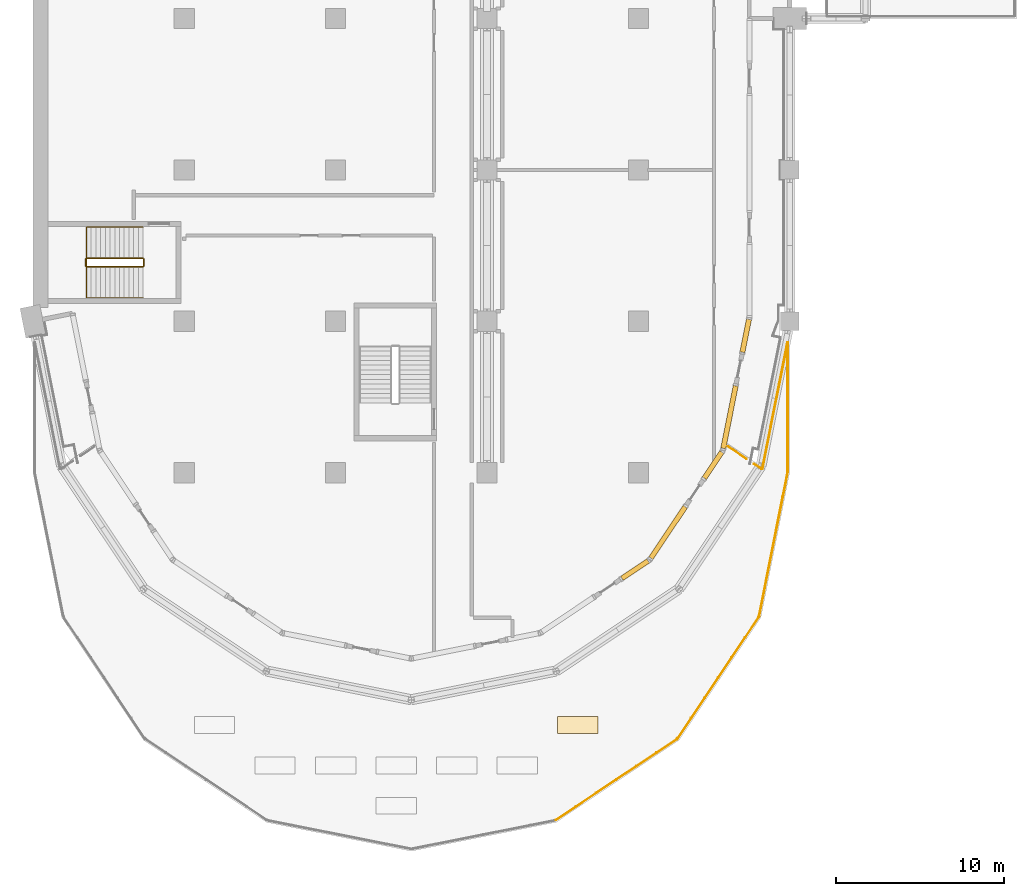
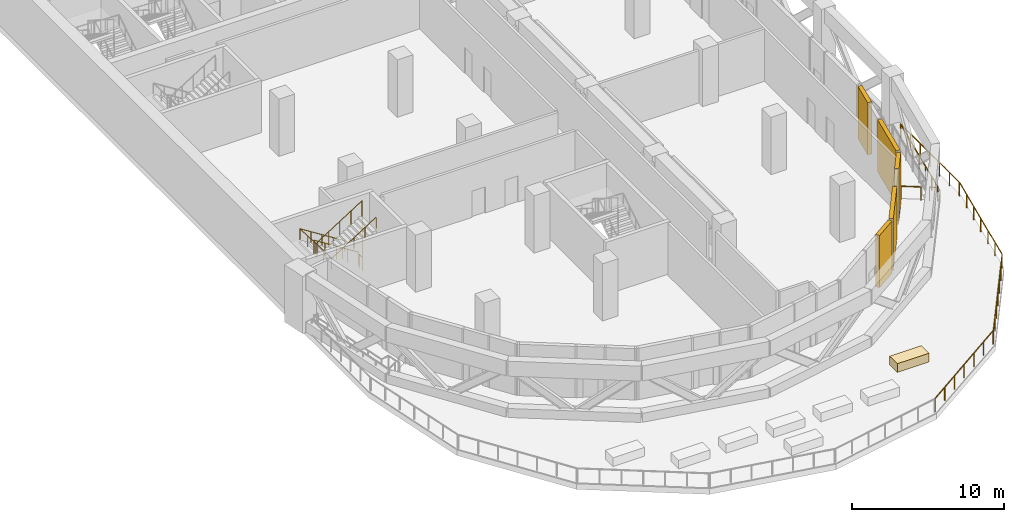
# One storey, part 17 of 20: 9 railings, 5 shading devices, 1 covering.
"""IFC4 building model written with IfcOpenShell, lengths in metres."""

from ifc_helpers import new_model, si_unit, direction, frame, origin, origin_2d, place, context, subcontext, project, spatial, polyline, rectangle, circle, outline, extrude, material, layer, layer_set, type_object, element, save


model = new_model("IFC4")

# Units and contexts
model_context = context("Model", 3, precision=1e-05, world=origin(), true_north=direction((0.0, 1.0)))
body_context = subcontext(model_context, "Body", "Model", "MODEL_VIEW")
ifc_project = project(units=[si_unit("LENGTHUNIT", "METRE"), si_unit("AREAUNIT", "SQUARE_METRE"), si_unit("VOLUMEUNIT", "CUBIC_METRE"), si_unit("PLANEANGLEUNIT", "RADIAN"), si_unit("MASSUNIT", "GRAM", prefix="KILO")], contexts=[model_context])

# Site, building, storey
site_placement = place(None, origin())
site = spatial("IfcSite", under=ifc_project, at=site_placement, CompositionType="ELEMENT")
building_placement = place(site_placement, origin())
building = spatial("IfcBuilding", under=site, at=building_placement, Name="Hunhe Ridgeline Campus", CompositionType="ELEMENT")
storey_placement = place(building_placement, frame((0.0, 0.0, 178.199951171875)))
storey = spatial("IfcBuildingStorey", under=building, at=storey_placement, Name="L45", CompositionType="ELEMENT", Elevation=178.199951171875)

# Railings
ifc_material_1 = material(Name="Steel Q355", Category="steel")
railing_type_1 = type_object("IfcRailingType", Name="Loggia guard 1100 Steel Q355", PredefinedType="GUARDRAIL", material=ifc_material_1)
railing_1_placement = place(storey_placement, frame((42.884033203125, 27.515380859375, 0.080078125)))
element("IfcRailing", 1, at=railing_1_placement, inside=storey, type_object=railing_type_1, Name="Terrace guard 9", PredefinedType="GUARDRAIL", context=body_context, shape_type="SweptSolid", body=[
    extrude(circle(Radius=0.02392578125, at=origin_2d()), frame((0.0, 0.0, 1.076171875), z_axis=(0.831636004277, -0.555321129069, 0.0), x_axis=(0.555321129069, 0.831636004277, 0.0)), (0.0, 0.0, 1.0), 0.544189453125),
    extrude(circle(Radius=0.02099609375, at=origin_2d()), origin(), (0.0, 0.0, 1.0), 1.052001953125),
    extrude(circle(Radius=0.02099609375, at=origin_2d()), frame((0.45263671875, -0.30224609375, 0.0)), (0.0, 0.0, 1.0), 1.052001953125),
])
railing_2_placement = place(storey_placement, frame((43.377685546875, 27.230224609375, 0.080078125)))
element("IfcRailing", 2, at=railing_2_placement, inside=storey, type_object=railing_type_1, Name="Terrace guard 10", PredefinedType="GUARDRAIL", context=body_context, shape_type="SweptSolid", body=[
    extrude(circle(Radius=0.02392578125, at=origin_2d()), frame((0.0, 0.0, 1.076171875), z_axis=(0.195129185157, 0.980777549243, 0.0), x_axis=(-0.980777549243, 0.195129185157, 0.0)), (0.0, 0.0, 1.0), 7.65966796875),
    extrude(circle(Radius=0.02099609375, at=origin_2d()), origin(), (0.0, 0.0, 1.0), 1.052001953125),
    extrude(circle(Radius=0.02099609375, at=origin_2d()), frame((0.2490234375, 1.251953125, 0.0)), (0.0, 0.0, 1.0), 1.052001953125),
    extrude(circle(Radius=0.02099609375, at=origin_2d()), frame((0.498291015625, 2.504150390625, 0.0)), (0.0, 0.0, 1.0), 1.052001953125),
    extrude(circle(Radius=0.02099609375, at=origin_2d()), frame((0.747314453125, 3.75634765625, 0.0)), (0.0, 0.0, 1.0), 1.052001953125),
    extrude(circle(Radius=0.02099609375, at=origin_2d()), frame((0.996337890625, 5.00830078125, 0.0)), (0.0, 0.0, 1.0), 1.052001953125),
    extrude(circle(Radius=0.02099609375, at=origin_2d()), frame((1.24560546875, 6.26025390625, 0.0)), (0.0, 0.0, 1.0), 1.052001953125),
    extrude(circle(Radius=0.02099609375, at=origin_2d()), frame((1.49462890625, 7.512451171875, 0.0)), (0.0, 0.0, 1.0), 1.052001953125),
])
railing_3_placement = place(storey_placement, frame((44.8798828125, 34.74169921875, 0.080078125)))
element("IfcRailing", 3, at=railing_3_placement, inside=storey, type_object=railing_type_1, Name="Terrace guard 11", PredefinedType="GUARDRAIL", context=body_context, shape_type="SweptSolid", body=[
    extrude(circle(Radius=0.02392578125, at=origin_2d()), frame((0.0, 0.0, 1.076171875), z_axis=(0.0, -1.0, 0.0), x_axis=(1.0, 0.0, 0.0)), (0.0, 0.0, 1.0), 7.68994140625),
    extrude(circle(Radius=0.02099609375, at=origin_2d()), origin(), (0.0, 0.0, 1.0), 1.052001953125),
    extrude(circle(Radius=0.02099609375, at=origin_2d()), frame((0.0, -1.28173828125, 0.0)), (0.0, 0.0, 1.0), 1.052001953125),
    extrude(circle(Radius=0.02099609375, at=origin_2d()), frame((0.0, -2.563232421875, 0.0)), (0.0, 0.0, 1.0), 1.052001953125),
    extrude(circle(Radius=0.02099609375, at=origin_2d()), frame((0.0, -3.844970703125, 0.0)), (0.0, 0.0, 1.0), 1.052001953125),
    extrude(circle(Radius=0.02099609375, at=origin_2d()), frame((0.0, -5.126708984375, 0.0)), (0.0, 0.0, 1.0), 1.052001953125),
    extrude(circle(Radius=0.02099609375, at=origin_2d()), frame((0.0, -6.408203125, 0.0)), (0.0, 0.0, 1.0), 1.052001953125),
    extrude(circle(Radius=0.02099609375, at=origin_2d()), frame((0.0, -7.68994140625, 0.0)), (0.0, 0.0, 1.0), 1.052001953125),
])
railing_4_placement = place(storey_placement, frame((44.872314453125, 26.97265625, 0.080078125)))
element("IfcRailing", 4, at=railing_4_placement, inside=storey, type_object=railing_type_1, Name="Terrace guard 12", PredefinedType="GUARDRAIL", context=body_context, shape_type="SweptSolid", body=[
    extrude(circle(Radius=0.02392578125, at=origin_2d()), frame((0.0, 0.0, 1.076171875), z_axis=(-0.195091784902, -0.980784989416, 0.0), x_axis=(0.980784989416, -0.195091784902, 0.0)), (0.0, 0.0, 1.0), 8.66357421875),
    extrude(circle(Radius=0.02099609375, at=origin_2d()), origin(), (0.0, 0.0, 1.0), 1.052001953125),
    extrude(circle(Radius=0.02099609375, at=origin_2d()), frame((-0.28173828125, -1.416259765625, 0.0)), (0.0, 0.0, 1.0), 1.052001953125),
    extrude(circle(Radius=0.02099609375, at=origin_2d()), frame((-0.5634765625, -2.832275390625, 0.0)), (0.0, 0.0, 1.0), 1.052001953125),
    extrude(circle(Radius=0.02099609375, at=origin_2d()), frame((-0.84521484375, -4.24853515625, 0.0)), (0.0, 0.0, 1.0), 1.052001953125),
    extrude(circle(Radius=0.02099609375, at=origin_2d()), frame((-1.126708984375, -5.664794921875, 0.0)), (0.0, 0.0, 1.0), 1.052001953125),
    extrude(circle(Radius=0.02099609375, at=origin_2d()), frame((-1.408447265625, -7.080810546875, 0.0)), (0.0, 0.0, 1.0), 1.052001953125),
    extrude(circle(Radius=0.02099609375, at=origin_2d()), frame((-1.690185546875, -8.4970703125, 0.0)), (0.0, 0.0, 1.0), 1.052001953125),
])
railing_5_placement = place(storey_placement, frame((43.152099609375, 18.403076171875, 0.080078125)))
element("IfcRailing", 5, at=railing_5_placement, inside=storey, type_object=railing_type_1, Name="Terrace guard 13", PredefinedType="GUARDRAIL", context=body_context, shape_type="SweptSolid", body=[
    extrude(circle(Radius=0.02392578125, at=origin_2d()), frame((0.0, 0.0, 1.076171875), z_axis=(-0.555579066977, -0.831463709573, 0.0), x_axis=(0.831463709573, -0.555579066977, 0.0)), (0.0, 0.0, 1.0), 8.651123046875),
    extrude(circle(Radius=0.02099609375, at=origin_2d()), origin(), (0.0, 0.0, 1.0), 1.052001953125),
    extrude(circle(Radius=0.02099609375, at=origin_2d()), frame((-0.801025390625, -1.19873046875, 0.0)), (0.0, 0.0, 1.0), 1.052001953125),
    extrude(circle(Radius=0.02099609375, at=origin_2d()), frame((-1.60205078125, -2.397705078125, 0.0)), (0.0, 0.0, 1.0), 1.052001953125),
    extrude(circle(Radius=0.02099609375, at=origin_2d()), frame((-2.4033203125, -3.5966796875, 0.0)), (0.0, 0.0, 1.0), 1.052001953125),
    extrude(circle(Radius=0.02099609375, at=origin_2d()), frame((-3.204345703125, -4.79541015625, 0.0)), (0.0, 0.0, 1.0), 1.052001953125),
    extrude(circle(Radius=0.02099609375, at=origin_2d()), frame((-4.00537109375, -5.994140625, 0.0)), (0.0, 0.0, 1.0), 1.052001953125),
    extrude(circle(Radius=0.02099609375, at=origin_2d()), frame((-4.806396484375, -7.193115234375, 0.0)), (0.0, 0.0, 1.0), 1.052001953125),
])
railing_6_placement = place(storey_placement, frame((38.2900390625, 11.154296875, 0.080078125)))
element("IfcRailing", 6, at=railing_6_placement, inside=storey, type_object=railing_type_1, Name="Terrace guard 14", PredefinedType="GUARDRAIL", context=body_context, shape_type="SweptSolid", body=[
    extrude(circle(Radius=0.02392578125, at=origin_2d()), frame((0.0, 0.0, 1.076171875), z_axis=(-0.831463709573, -0.555579066977, 0.0), x_axis=(0.555579066977, -0.831463709573, 0.0)), (0.0, 0.0, 1.0), 8.651123046875),
    extrude(circle(Radius=0.02099609375, at=origin_2d()), origin(), (0.0, 0.0, 1.0), 1.052001953125),
    extrude(circle(Radius=0.02099609375, at=origin_2d()), frame((-1.19873046875, -0.801025390625, 0.0)), (0.0, 0.0, 1.0), 1.052001953125),
    extrude(circle(Radius=0.02099609375, at=origin_2d()), frame((-2.397705078125, -1.60205078125, 0.0)), (0.0, 0.0, 1.0), 1.052001953125),
    extrude(circle(Radius=0.02099609375, at=origin_2d()), frame((-3.5966796875, -2.4033203125, 0.0)), (0.0, 0.0, 1.0), 1.052001953125),
    extrude(circle(Radius=0.02099609375, at=origin_2d()), frame((-4.79541015625, -3.204345703125, 0.0)), (0.0, 0.0, 1.0), 1.052001953125),
    extrude(circle(Radius=0.02099609375, at=origin_2d()), frame((-5.994140625, -4.00537109375, 0.0)), (0.0, 0.0, 1.0), 1.052001953125),
    extrude(circle(Radius=0.02099609375, at=origin_2d()), frame((-7.193115234375, -4.806396484375, 0.0)), (0.0, 0.0, 1.0), 1.052001953125),
])
railing_7_placement = place(storey_placement, frame((41.326171875, 28.555908203125, 0.080078125)))
element("IfcRailing", 7, at=railing_7_placement, inside=storey, type_object=railing_type_1, Name="Terrace guard 24", PredefinedType="GUARDRAIL", context=body_context, shape_type="SweptSolid", body=[
    extrude(circle(Radius=0.02392578125, at=origin_2d()), frame((0.0, 0.0, 1.076171875), z_axis=(0.831570724793, -0.555418877666, 0.0), x_axis=(0.555418877666, 0.831570724793, 0.0)), (0.0, 0.0, 1.0), 1.332275390625),
    extrude(circle(Radius=0.02099609375, at=origin_2d()), origin(), (0.0, 0.0, 1.0), 1.052001953125),
    extrude(circle(Radius=0.02099609375, at=origin_2d()), frame((1.10791015625, -0.739990234375, 0.0)), (0.0, 0.0, 1.0), 1.052001953125),
])

# Shading devices
ifc_material_2 = material(Name="Aluminium 6063", Category="aluminium")
ifc_layer = layer(ifc_material_2, 0.300048828125)
ifc_layer_set = layer_set([ifc_layer], Name="Louvre bank 300 Aluminium 6063")
shading_device_type = type_object("IfcShadingDeviceType", Name="Louvre bank 300 Aluminium 6063", PredefinedType="USERDEFINED", material=ifc_layer_set)
shading_device_1_placement = place(storey_placement, frame((35.80078125, 21.234375, 0.0), z_axis=(0.0, 0.0, 1.0), x_axis=(0.831469622629, 0.555570217564, 0.0)))
element("IfcShadingDevice", 8, at=shading_device_1_placement, inside=storey, type_object=shading_device_type, Name="Louvre bank 12", ObjectType="LOUVRE", PredefinedType="USERDEFINED", context=body_context, shape_type="SweptSolid", body=[
    extrude(rectangle(XDim=1.871826171875, YDim=0.300048828125, at=origin_2d()), origin(), (0.0, 0.0, 1.0), 4.199951171875),
])
shading_device_2_placement = place(storey_placement, frame((37.765625, 23.447509765625, 0.0), z_axis=(0.0, 0.0, 1.0), x_axis=(0.555570362959, 0.83146952548, 0.0)))
element("IfcShadingDevice", 9, at=shading_device_2_placement, inside=storey, type_object=shading_device_type, Name="Louvre bank 13", ObjectType="LOUVRE", PredefinedType="USERDEFINED", context=body_context, shape_type="SweptSolid", body=[
    extrude(rectangle(XDim=3.671875, YDim=0.300048828125, at=origin_2d()), origin(), (0.0, 0.0, 1.0), 4.199951171875),
])
shading_device_3_placement = place(storey_placement, frame((40.43896484375, 27.448486328125, 0.0), z_axis=(0.0, 0.0, 1.0), x_axis=(0.555570217564, 0.831469622629, 0.0)))
element("IfcShadingDevice", 10, at=shading_device_3_placement, inside=storey, type_object=shading_device_type, Name="Louvre bank 14", ObjectType="LOUVRE", PredefinedType="USERDEFINED", context=body_context, shape_type="SweptSolid", body=[
    extrude(rectangle(XDim=1.871826171875, YDim=0.300048828125, at=origin_2d()), origin(), (0.0, 0.0, 1.0), 4.199951171875),
])
shading_device_4_placement = place(storey_placement, frame((41.4189453125, 30.303955078125, 0.0), z_axis=(0.0, 0.0, 1.0), x_axis=(0.195090179937, 0.980785308664, 0.0)))
element("IfcShadingDevice", 11, at=shading_device_4_placement, inside=storey, type_object=shading_device_type, Name="Louvre bank 15", ObjectType="LOUVRE", PredefinedType="USERDEFINED", context=body_context, shape_type="SweptSolid", body=[
    extrude(rectangle(XDim=3.79248046875, YDim=0.300048828125, at=origin_2d()), origin(), (0.0, 0.0, 1.0), 4.199951171875),
])
shading_device_5_placement = place(storey_placement, frame((42.38134765625, 35.1416015625, 0.0), z_axis=(0.0, 0.0, 1.0), x_axis=(0.195090357587, 0.980785273328, 0.0)))
element("IfcShadingDevice", 12, at=shading_device_5_placement, inside=storey, type_object=shading_device_type, Name="Louvre bank 16", ObjectType="LOUVRE", PredefinedType="USERDEFINED", context=body_context, shape_type="SweptSolid", body=[
    extrude(rectangle(XDim=1.992431640625, YDim=0.300048828125, at=origin_2d()), origin(), (0.0, 0.0, 1.0), 4.199951171875),
])

# Covering
ifc_material_3 = material(Name="Planting soil")
covering_type = type_object("IfcCoveringType", Name="Planter box 700 planting soil", PredefinedType="USERDEFINED", material=ifc_material_3)
covering_placement = place(storey_placement, frame((0.0, 0.0, 0.080078125)))
element("IfcCovering", 13, at=covering_placement, inside=storey, type_object=covering_type, Name="Planter 8", ObjectType="PLANTER", PredefinedType="USERDEFINED", context=body_context, shape_type="SweptSolid", body=[
    extrude(outline(polyline([(31.199951171875, 11.5), (33.60009765625, 11.5), (33.60009765625, 12.5), (31.199951171875, 12.5), (31.199951171875, 11.5)])), origin(), (0.0, 0.0, 1.0), 0.699951171875),
])

# Railings
ifc_material_4 = material(Name="Stainless steel balustrade", Category="steel")
railing_type_2 = type_object("IfcRailingType", Name="Stair guard 1100 stainless", PredefinedType="GUARDRAIL", material=ifc_material_4)
railing_8_placement = place(storey_placement, frame((6.550048828125, 39.75, 0.177001953125)))
element("IfcRailing", 14, at=railing_8_placement, inside=storey, type_object=railing_type_2, Name="L45 stair W1 guard", PredefinedType="GUARDRAIL", context=body_context, shape_type="SweptSolid", body=[
    extrude(circle(Radius=0.02392578125, at=origin_2d()), frame((0.0, 0.0, 1.076171875), z_axis=(-0.845389635667, 0.0, 0.534150132366), x_axis=(0.0, -1.0, 0.0)), (0.0, 0.0, 1.0), 3.974609375),
    extrude(circle(Radius=0.02392578125, at=origin_2d()), frame((-3.360107421875, 0.0, 3.19921875), z_axis=(-0.707106781187, -0.707106781187, 0.0), x_axis=(0.707106781187, -0.707106781187, 0.0)), (0.0, 0.0, 1.0), 0.07080078125),
    extrude(circle(Radius=0.02392578125, at=origin_2d()), frame((-3.41015625, -0.050048828125, 3.19921875), z_axis=(0.0, -1.0, 0.0), x_axis=(1.0, 0.0, 0.0)), (0.0, 0.0, 1.0), 0.39990234375),
    extrude(circle(Radius=0.02392578125, at=origin_2d()), frame((-3.41015625, -0.449951171875, 3.19921875), z_axis=(0.262545553595, -0.262545553595, 0.928514762713), x_axis=(0.707106781187, 0.707106781187, 0.0)), (0.0, 0.0, 1.0), 0.190673828125),
    extrude(circle(Radius=0.02392578125, at=origin_2d()), frame((-3.360107421875, -0.5, 3.3759765625), z_axis=(0.845389635667, 0.0, 0.534150132366), x_axis=(0.0, 1.0, 0.0)), (0.0, 0.0, 1.0), 3.974609375),
    extrude(circle(Radius=0.02392578125, at=origin_2d()), frame((0.0, -0.5, 5.4990234375), z_axis=(0.010878661383, 0.010878661383, -0.999881647723), x_axis=(-0.707106781187, 0.707106781187, 0.0)), (0.0, 0.0, 1.0), 4.6005859375),
    extrude(circle(Radius=0.02392578125, at=origin_2d()), frame((0.050048828125, -0.449951171875, 0.89892578125), z_axis=(0.0, 1.0, 0.0), x_axis=(-1.0, 0.0, 0.0)), (0.0, 0.0, 1.0), 0.39990234375),
    extrude(circle(Radius=0.02099609375, at=origin_2d()), origin(), (0.0, 0.0, 1.0), 1.052001953125),
    extrude(circle(Radius=0.02099609375, at=origin_2d()), frame((-0.840087890625, 0.0, 0.53076171875)), (0.0, 0.0, 1.0), 1.052001953125),
    extrude(circle(Radius=0.02099609375, at=origin_2d()), frame((-1.68017578125, 0.0, 1.0615234375)), (0.0, 0.0, 1.0), 1.052001953125),
    extrude(circle(Radius=0.02099609375, at=origin_2d()), frame((-2.52001953125, 0.0, 1.59228515625)), (0.0, 0.0, 1.0), 1.052001953125),
    extrude(circle(Radius=0.02099609375, at=origin_2d()), frame((-3.360107421875, 0.0, 2.123046875)), (0.0, 0.0, 1.0), 1.052001953125),
    extrude(circle(Radius=0.02099609375, at=origin_2d()), frame((-3.41015625, -0.050048828125, 2.123046875)), (0.0, 0.0, 1.0), 1.052001953125),
    extrude(circle(Radius=0.02099609375, at=origin_2d()), frame((-3.41015625, -0.449951171875, 2.123046875)), (0.0, 0.0, 1.0), 1.052001953125),
    extrude(circle(Radius=0.02099609375, at=origin_2d()), frame((-3.360107421875, -0.5, 2.300048828125)), (0.0, 0.0, 1.0), 1.052001953125),
    extrude(circle(Radius=0.02099609375, at=origin_2d()), frame((-2.52001953125, -0.5, 2.830810546875)), (0.0, 0.0, 1.0), 1.052001953125),
    extrude(circle(Radius=0.02099609375, at=origin_2d()), frame((-1.68017578125, -0.5, 3.361572265625)), (0.0, 0.0, 1.0), 1.052001953125),
    extrude(circle(Radius=0.02099609375, at=origin_2d()), frame((-0.840087890625, -0.5, 3.892333984375)), (0.0, 0.0, 1.0), 1.052001953125),
    extrude(circle(Radius=0.02099609375, at=origin_2d()), frame((0.0, -0.5, 4.423095703125)), (0.0, 0.0, 1.0), 1.052001953125),
    extrude(circle(Radius=0.02099609375, at=origin_2d()), frame((0.012451171875, -0.487548828125, 3.27294921875)), (0.0, 0.0, 1.0), 1.052001953125),
    extrude(circle(Radius=0.02099609375, at=origin_2d()), frame((0.02490234375, -0.47509765625, 2.123046875)), (0.0, 0.0, 1.0), 1.052001953125),
    extrude(circle(Radius=0.02099609375, at=origin_2d()), frame((0.03759765625, -0.46240234375, 0.97314453125)), (0.0, 0.0, 1.0), 1.052001953125),
    extrude(circle(Radius=0.02099609375, at=origin_2d()), frame((0.050048828125, -0.449951171875, -0.177001953125)), (0.0, 0.0, 1.0), 1.052001953125),
    extrude(circle(Radius=0.02099609375, at=origin_2d()), frame((0.050048828125, -0.050048828125, -0.177001953125)), (0.0, 0.0, 1.0), 1.052001953125),
])
ifc_material_5 = material(Name="Stainless steel handrail", Category="steel")
railing_type_3 = type_object("IfcRailingType", Name="Stair handrail 900 stainless", PredefinedType="HANDRAIL", material=ifc_material_5)
railing_9_placement = place(storey_placement, frame((6.550048828125, 41.60009765625, 0.177001953125)))
element("IfcRailing", 15, at=railing_9_placement, inside=storey, type_object=railing_type_3, Name="L45 stair W1 handrail", PredefinedType="HANDRAIL", context=body_context, shape_type="SweptSolid", body=[
    extrude(circle(Radius=0.02392578125, at=origin_2d()), frame((0.0, 0.0, 0.8759765625), z_axis=(-0.845389635667, 0.0, 0.534150132366), x_axis=(0.0, -1.0, 0.0)), (0.0, 0.0, 1.0), 3.974609375),
    extrude(circle(Radius=0.02392578125, at=origin_2d()), frame((-3.360107421875, 0.0, 2.9990234375), z_axis=(0.0, -0.999113233712, 0.042103992934), x_axis=(1.0, 0.0, 0.0)), (0.0, 0.0, 1.0), 4.203857421875),
    extrude(circle(Radius=0.02392578125, at=origin_2d()), frame((-3.360107421875, -4.2001953125, 3.17578125), z_axis=(0.845389635667, 0.0, 0.534150132366), x_axis=(0.0, 1.0, 0.0)), (0.0, 0.0, 1.0), 3.974609375),
    extrude(circle(Radius=0.02099609375, at=origin_2d()), origin(), (0.0, 0.0, 1.0), 0.851806640625),
    extrude(circle(Radius=0.02099609375, at=origin_2d()), frame((-0.840087890625, 0.0, 0.53076171875)), (0.0, 0.0, 1.0), 0.851806640625),
    extrude(circle(Radius=0.02099609375, at=origin_2d()), frame((-1.68017578125, 0.0, 1.0615234375)), (0.0, 0.0, 1.0), 0.851806640625),
    extrude(circle(Radius=0.02099609375, at=origin_2d()), frame((-2.52001953125, 0.0, 1.59228515625)), (0.0, 0.0, 1.0), 0.851806640625),
    extrude(circle(Radius=0.02099609375, at=origin_2d()), frame((-3.360107421875, 0.0, 2.123046875)), (0.0, 0.0, 1.0), 0.851806640625),
    extrude(circle(Radius=0.02099609375, at=origin_2d()), frame((-3.360107421875, -1.050048828125, 2.167236328125)), (0.0, 0.0, 1.0), 0.851806640625),
    extrude(circle(Radius=0.02099609375, at=origin_2d()), frame((-3.360107421875, -2.10009765625, 2.21142578125)), (0.0, 0.0, 1.0), 0.851806640625),
    extrude(circle(Radius=0.02099609375, at=origin_2d()), frame((-3.360107421875, -3.150146484375, 2.255859375)), (0.0, 0.0, 1.0), 0.851806640625),
    extrude(circle(Radius=0.02099609375, at=origin_2d()), frame((-3.360107421875, -4.2001953125, 2.300048828125)), (0.0, 0.0, 1.0), 0.851806640625),
    extrude(circle(Radius=0.02099609375, at=origin_2d()), frame((-2.52001953125, -4.2001953125, 2.830810546875)), (0.0, 0.0, 1.0), 0.851806640625),
    extrude(circle(Radius=0.02099609375, at=origin_2d()), frame((-1.68017578125, -4.2001953125, 3.361572265625)), (0.0, 0.0, 1.0), 0.851806640625),
    extrude(circle(Radius=0.02099609375, at=origin_2d()), frame((-0.840087890625, -4.2001953125, 3.892333984375)), (0.0, 0.0, 1.0), 0.851806640625),
    extrude(circle(Radius=0.02099609375, at=origin_2d()), frame((0.0, -4.2001953125, 4.423095703125)), (0.0, 0.0, 1.0), 0.851806640625),
])

save(model, "model.ifc")
